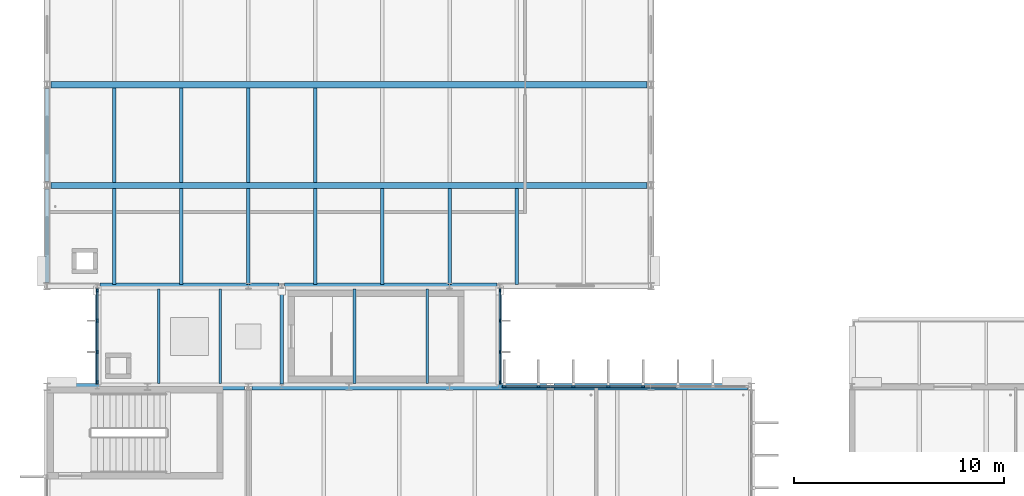
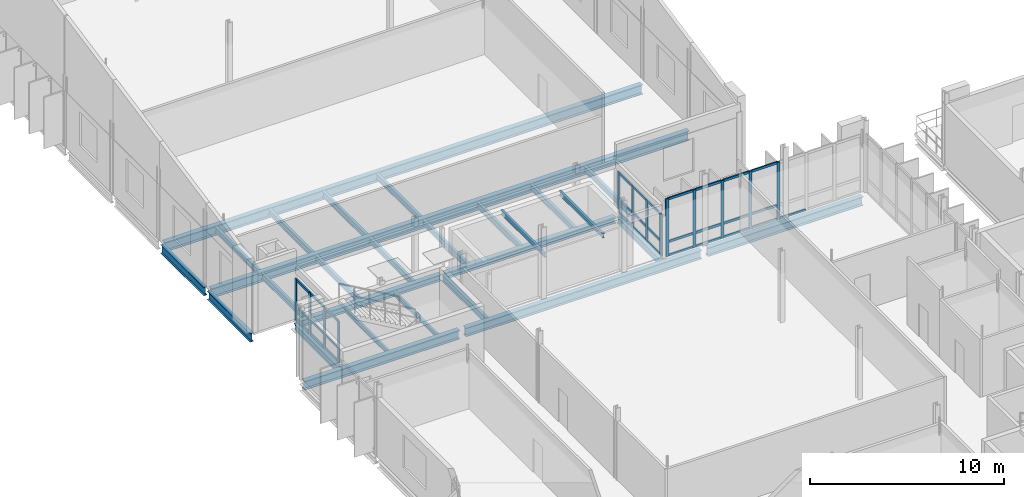
# One storey, part 23 of 93: 44 members, 27 beams, 3 elements without a shape of their own.
"""IFC4 building model written with IfcOpenShell, lengths in metres."""

from ifc_helpers import new_model, si_unit, direction, frame, origin, origin_2d, place, context, subcontext, project, spatial, rectangle, i_section, extrude, material, material_profile, profile_set, type_object, element, aggregate, save


model = new_model("IFC4")

# Units and contexts
model_context = context("Model", 3, precision=1e-05, world=origin(), true_north=direction((0.0, 1.0)))
body_context = subcontext(model_context, "Body", "Model", "MODEL_VIEW")
ifc_project = project(units=[si_unit("LENGTHUNIT", "METRE"), si_unit("AREAUNIT", "SQUARE_METRE"), si_unit("VOLUMEUNIT", "CUBIC_METRE"), si_unit("PLANEANGLEUNIT", "RADIAN"), si_unit("MASSUNIT", "GRAM", prefix="KILO")], contexts=[model_context])

# Site, building, storey
site_placement = place(None, origin())
site = spatial("IfcSite", under=ifc_project, at=site_placement, CompositionType="ELEMENT")
building_placement = place(site_placement, origin())
building = spatial("IfcBuilding", under=site, at=building_placement, Name="Dunescarp Central Library", CompositionType="ELEMENT")
storey_placement = place(building_placement, frame((0.0, 0.0, 14.10009765625)))
storey = spatial("IfcBuildingStorey", under=building, at=storey_placement, Name="L03", CompositionType="ELEMENT", Elevation=14.10009765625)

# Curtain wall, members
ifc_material_1 = material(Name="Marine-grade anodised aluminium 6063-T6", Category="aluminium")
curtain_wall_type_1 = type_object("IfcCurtainWallType", Name="ARC-CW-STICK", PredefinedType="NOTDEFINED", material=ifc_material_1)
curtain_wall_1_placement = place(storey_placement, origin())
curtain_wall_1 = element("IfcCurtainWall", 1, at=curtain_wall_1_placement, inside=storey, type_object=curtain_wall_type_1, Name="L03 curtain wall CW-V1-020", PredefinedType="NOTDEFINED")
ifc_material_profile_1 = material_profile(ifc_material_1, rectangle(XDim=0.080078125, YDim=0.179931640625, at=origin_2d()), Name="AL 80x180")
ifc_profile_set_1 = profile_set([ifc_material_profile_1], Name="Marine-grade anodised aluminium 6063-T6")
member_type_1 = type_object("IfcMemberType", Name="ARC-CWM-180", PredefinedType="MULLION", material=ifc_profile_set_1)
member_1_placement = place(storey_placement, frame((21.81494140625, 36.800048828125, 0.0), z_axis=(0.0, 0.0, 1.0), x_axis=(0.0, 1.0, 0.0)))
member_1 = element("IfcMember", 2, at=member_1_placement, type_object=member_type_1, Name="CW-V1-020 mullion 1", PredefinedType="MULLION", context=body_context, shape_type="SweptSolid", body=[
    extrude(rectangle(XDim=0.080078125, YDim=0.179931640625, at=origin_2d()), origin(), (0.0, 0.0, 1.0), 3.625),
])
member_2_placement = place(storey_placement, frame((23.439208984375, 36.800048828125, 0.0), z_axis=(0.0, 0.0, 1.0), x_axis=(0.0, 1.0, 0.0)))
member_2 = element("IfcMember", 3, at=member_2_placement, type_object=member_type_1, Name="CW-V1-020 mullion 2", PredefinedType="MULLION", context=body_context, shape_type="SweptSolid", body=[
    extrude(rectangle(XDim=0.080078125, YDim=0.179931640625, at=origin_2d()), origin(), (0.0, 0.0, 1.0), 3.625),
])
member_3_placement = place(storey_placement, frame((25.103515625, 36.800048828125, 0.0), z_axis=(0.0, 0.0, 1.0), x_axis=(0.0, 1.0, 0.0)))
member_3 = element("IfcMember", 4, at=member_3_placement, type_object=member_type_1, Name="CW-V1-020 mullion 3", PredefinedType="MULLION", context=body_context, shape_type="SweptSolid", body=[
    extrude(rectangle(XDim=0.080078125, YDim=0.179931640625, at=origin_2d()), origin(), (0.0, 0.0, 1.0), 3.625),
])
member_4_placement = place(storey_placement, frame((26.767822265625, 36.800048828125, 0.0), z_axis=(0.0, 0.0, 1.0), x_axis=(0.0, 1.0, 0.0)))
member_4 = element("IfcMember", 5, at=member_4_placement, type_object=member_type_1, Name="CW-V1-020 mullion 4", PredefinedType="MULLION", context=body_context, shape_type="SweptSolid", body=[
    extrude(rectangle(XDim=0.080078125, YDim=0.179931640625, at=origin_2d()), origin(), (0.0, 0.0, 1.0), 3.625),
])
member_5_placement = place(storey_placement, frame((28.43212890625, 36.800048828125, 0.0), z_axis=(0.0, 0.0, 1.0), x_axis=(0.0, 1.0, 0.0)))
member_5 = element("IfcMember", 6, at=member_5_placement, type_object=member_type_1, Name="CW-V1-020 mullion 5", PredefinedType="MULLION", context=body_context, shape_type="SweptSolid", body=[
    extrude(rectangle(XDim=0.080078125, YDim=0.179931640625, at=origin_2d()), origin(), (0.0, 0.0, 1.0), 3.625),
])

curtain_wall_type_2 = type_object("IfcCurtainWallType", Name="ARC-CW-LINK", PredefinedType="USERDEFINED", material=ifc_material_1)
curtain_wall_2_placement = place(storey_placement, origin())
curtain_wall_2 = element("IfcCurtainWall", 7, at=curtain_wall_2_placement, inside=storey, type_object=curtain_wall_type_2, Name="L03 curtain wall CW-GL4-W-L03", ObjectType="GLAZED_LINK_WALL", PredefinedType="USERDEFINED")
member_6_placement = place(storey_placement, frame((2.39990234375, 37.014892578125, 0.0), z_axis=(0.0, 0.0, 1.0), x_axis=(-1.0, 0.0, 0.0)))
member_6 = element("IfcMember", 8, at=member_6_placement, type_object=member_type_1, Name="CW-GL4-W-L03 mullion 1", PredefinedType="MULLION", context=body_context, shape_type="SweptSolid", body=[
    extrude(rectangle(XDim=0.080078125, YDim=0.179931640625, at=origin_2d()), origin(), (0.0, 0.0, 1.0), 2.599853515625),
])
member_7_placement = place(storey_placement, frame((2.39990234375, 38.458251953125, 0.0), z_axis=(0.0, 0.0, 1.0), x_axis=(-1.0, 0.0, 0.0)))
member_7 = element("IfcMember", 9, at=member_7_placement, type_object=member_type_1, Name="CW-GL4-W-L03 mullion 2", PredefinedType="MULLION", context=body_context, shape_type="SweptSolid", body=[
    extrude(rectangle(XDim=0.080078125, YDim=0.179931640625, at=origin_2d()), origin(), (0.0, 0.0, 1.0), 2.599853515625),
])
member_8_placement = place(storey_placement, frame((2.39990234375, 39.941650390625, 0.0), z_axis=(0.0, 0.0, 1.0), x_axis=(-1.0, 0.0, 0.0)))
member_8 = element("IfcMember", 10, at=member_8_placement, type_object=member_type_1, Name="CW-GL4-W-L03 mullion 3", PredefinedType="MULLION", context=body_context, shape_type="SweptSolid", body=[
    extrude(rectangle(XDim=0.080078125, YDim=0.179931640625, at=origin_2d()), origin(), (0.0, 0.0, 1.0), 2.599853515625),
])
member_9_placement = place(storey_placement, frame((2.39990234375, 41.385009765625, 0.0), z_axis=(0.0, 0.0, 1.0), x_axis=(-1.0, 0.0, 0.0)))
member_9 = element("IfcMember", 11, at=member_9_placement, type_object=member_type_1, Name="CW-GL4-W-L03 mullion 4", PredefinedType="MULLION", context=body_context, shape_type="SweptSolid", body=[
    extrude(rectangle(XDim=0.080078125, YDim=0.179931640625, at=origin_2d()), origin(), (0.0, 0.0, 1.0), 2.599853515625),
])

curtain_wall_3_placement = place(storey_placement, origin())
curtain_wall_3 = element("IfcCurtainWall", 12, at=curtain_wall_3_placement, inside=storey, type_object=curtain_wall_type_2, Name="L03 curtain wall CW-GL4-E-L03", ObjectType="GLAZED_LINK_WALL", PredefinedType="USERDEFINED")
member_10_placement = place(storey_placement, frame((21.60009765625, 41.385009765625, 0.0), z_axis=(0.0, 0.0, 1.0), x_axis=(1.0, 0.0, 0.0)))
member_10 = element("IfcMember", 13, at=member_10_placement, type_object=member_type_1, Name="CW-GL4-E-L03 mullion 1", PredefinedType="MULLION", context=body_context, shape_type="SweptSolid", body=[
    extrude(rectangle(XDim=0.080078125, YDim=0.179931640625, at=origin_2d()), origin(), (0.0, 0.0, 1.0), 2.599853515625),
])
member_11_placement = place(storey_placement, frame((21.60009765625, 39.941650390625, 0.0), z_axis=(0.0, 0.0, 1.0), x_axis=(1.0, 0.0, 0.0)))
member_11 = element("IfcMember", 14, at=member_11_placement, type_object=member_type_1, Name="CW-GL4-E-L03 mullion 2", PredefinedType="MULLION", context=body_context, shape_type="SweptSolid", body=[
    extrude(rectangle(XDim=0.080078125, YDim=0.179931640625, at=origin_2d()), origin(), (0.0, 0.0, 1.0), 2.599853515625),
])
member_12_placement = place(storey_placement, frame((21.60009765625, 38.458251953125, 0.0), z_axis=(0.0, 0.0, 1.0), x_axis=(1.0, 0.0, 0.0)))
member_12 = element("IfcMember", 15, at=member_12_placement, type_object=member_type_1, Name="CW-GL4-E-L03 mullion 3", PredefinedType="MULLION", context=body_context, shape_type="SweptSolid", body=[
    extrude(rectangle(XDim=0.080078125, YDim=0.179931640625, at=origin_2d()), origin(), (0.0, 0.0, 1.0), 2.599853515625),
])
member_13_placement = place(storey_placement, frame((21.60009765625, 37.014892578125, 0.0), z_axis=(0.0, 0.0, 1.0), x_axis=(1.0, 0.0, 0.0)))
member_13 = element("IfcMember", 16, at=member_13_placement, type_object=member_type_1, Name="CW-GL4-E-L03 mullion 4", PredefinedType="MULLION", context=body_context, shape_type="SweptSolid", body=[
    extrude(rectangle(XDim=0.080078125, YDim=0.179931640625, at=origin_2d()), origin(), (0.0, 0.0, 1.0), 2.599853515625),
])

# Member
ifc_material_profile_2 = material_profile(ifc_material_1, rectangle(XDim=0.080078125, YDim=0.14990234375, at=origin_2d()), Name="AL 80x150")
ifc_profile_set_2 = profile_set([ifc_material_profile_2], Name="Marine-grade anodised aluminium 6063-T6")
member_type_2 = type_object("IfcMemberType", Name="ARC-CWT-150", PredefinedType="USERDEFINED", material=ifc_profile_set_2)
member_14_placement = place(storey_placement, frame((21.85498046875, 36.800048828125, 0.039794921875), z_axis=(1.0, 0.0, 0.0), x_axis=(0.0, 1.0, 0.0)))
member_14 = element("IfcMember", 17, at=member_14_placement, type_object=member_type_2, Name="CW-V1-020 transom 1.1", ObjectType="TRANSOM", PredefinedType="USERDEFINED", context=body_context, shape_type="SweptSolid", body=[
    extrude(rectangle(XDim=0.080078125, YDim=0.14990234375, at=origin_2d()), origin(), (0.0, 0.0, 1.0), 1.544189453125),
])

member_15_placement = place(storey_placement, frame((21.85498046875, 36.800048828125, 0.89990234375), z_axis=(1.0, 0.0, 0.0), x_axis=(0.0, 1.0, 0.0)))
member_15 = element("IfcMember", 18, at=member_15_placement, type_object=member_type_2, Name="CW-V1-020 transom 1.2", ObjectType="TRANSOM", PredefinedType="USERDEFINED", context=body_context, shape_type="SweptSolid", body=[
    extrude(rectangle(XDim=0.080078125, YDim=0.14990234375, at=origin_2d()), origin(), (0.0, 0.0, 1.0), 1.544189453125),
])

member_16_placement = place(storey_placement, frame((21.85498046875, 36.800048828125, 3.5849609375), z_axis=(1.0, 0.0, 0.0), x_axis=(0.0, 1.0, 0.0)))
member_16 = element("IfcMember", 19, at=member_16_placement, type_object=member_type_2, Name="CW-V1-020 transom 1.3", ObjectType="TRANSOM", PredefinedType="USERDEFINED", context=body_context, shape_type="SweptSolid", body=[
    extrude(rectangle(XDim=0.080078125, YDim=0.14990234375, at=origin_2d()), origin(), (0.0, 0.0, 1.0), 1.544189453125),
])

member_17_placement = place(storey_placement, frame((23.479248046875, 36.800048828125, 0.039794921875), z_axis=(1.0, 0.0, 0.0), x_axis=(0.0, 1.0, 0.0)))
member_17 = element("IfcMember", 20, at=member_17_placement, type_object=member_type_2, Name="CW-V1-020 transom 2.1", ObjectType="TRANSOM", PredefinedType="USERDEFINED", context=body_context, shape_type="SweptSolid", body=[
    extrude(rectangle(XDim=0.080078125, YDim=0.14990234375, at=origin_2d()), origin(), (0.0, 0.0, 1.0), 1.584228515625),
])

member_18_placement = place(storey_placement, frame((23.479248046875, 36.800048828125, 0.89990234375), z_axis=(1.0, 0.0, 0.0), x_axis=(0.0, 1.0, 0.0)))
member_18 = element("IfcMember", 21, at=member_18_placement, type_object=member_type_2, Name="CW-V1-020 transom 2.2", ObjectType="TRANSOM", PredefinedType="USERDEFINED", context=body_context, shape_type="SweptSolid", body=[
    extrude(rectangle(XDim=0.080078125, YDim=0.14990234375, at=origin_2d()), origin(), (0.0, 0.0, 1.0), 1.584228515625),
])

member_19_placement = place(storey_placement, frame((23.479248046875, 36.800048828125, 3.5849609375), z_axis=(1.0, 0.0, 0.0), x_axis=(0.0, 1.0, 0.0)))
member_19 = element("IfcMember", 22, at=member_19_placement, type_object=member_type_2, Name="CW-V1-020 transom 2.3", ObjectType="TRANSOM", PredefinedType="USERDEFINED", context=body_context, shape_type="SweptSolid", body=[
    extrude(rectangle(XDim=0.080078125, YDim=0.14990234375, at=origin_2d()), origin(), (0.0, 0.0, 1.0), 1.584228515625),
])

member_20_placement = place(storey_placement, frame((25.1435546875, 36.800048828125, 0.039794921875), z_axis=(1.0, 0.0, 0.0), x_axis=(0.0, 1.0, 0.0)))
member_20 = element("IfcMember", 23, at=member_20_placement, type_object=member_type_2, Name="CW-V1-020 transom 3.1", ObjectType="TRANSOM", PredefinedType="USERDEFINED", context=body_context, shape_type="SweptSolid", body=[
    extrude(rectangle(XDim=0.080078125, YDim=0.14990234375, at=origin_2d()), origin(), (0.0, 0.0, 1.0), 1.584228515625),
])

member_21_placement = place(storey_placement, frame((25.1435546875, 36.800048828125, 0.89990234375), z_axis=(1.0, 0.0, 0.0), x_axis=(0.0, 1.0, 0.0)))
member_21 = element("IfcMember", 24, at=member_21_placement, type_object=member_type_2, Name="CW-V1-020 transom 3.2", ObjectType="TRANSOM", PredefinedType="USERDEFINED", context=body_context, shape_type="SweptSolid", body=[
    extrude(rectangle(XDim=0.080078125, YDim=0.14990234375, at=origin_2d()), origin(), (0.0, 0.0, 1.0), 1.584228515625),
])

member_22_placement = place(storey_placement, frame((25.1435546875, 36.800048828125, 3.5849609375), z_axis=(1.0, 0.0, 0.0), x_axis=(0.0, 1.0, 0.0)))
member_22 = element("IfcMember", 25, at=member_22_placement, type_object=member_type_2, Name="CW-V1-020 transom 3.3", ObjectType="TRANSOM", PredefinedType="USERDEFINED", context=body_context, shape_type="SweptSolid", body=[
    extrude(rectangle(XDim=0.080078125, YDim=0.14990234375, at=origin_2d()), origin(), (0.0, 0.0, 1.0), 1.584228515625),
])

member_23_placement = place(storey_placement, frame((26.807861328125, 36.800048828125, 0.039794921875), z_axis=(1.0, 0.0, 0.0), x_axis=(0.0, 1.0, 0.0)))
member_23 = element("IfcMember", 26, at=member_23_placement, type_object=member_type_2, Name="CW-V1-020 transom 4.1", ObjectType="TRANSOM", PredefinedType="USERDEFINED", context=body_context, shape_type="SweptSolid", body=[
    extrude(rectangle(XDim=0.080078125, YDim=0.14990234375, at=origin_2d()), origin(), (0.0, 0.0, 1.0), 1.584228515625),
])

member_24_placement = place(storey_placement, frame((26.807861328125, 36.800048828125, 0.89990234375), z_axis=(1.0, 0.0, 0.0), x_axis=(0.0, 1.0, 0.0)))
member_24 = element("IfcMember", 27, at=member_24_placement, type_object=member_type_2, Name="CW-V1-020 transom 4.2", ObjectType="TRANSOM", PredefinedType="USERDEFINED", context=body_context, shape_type="SweptSolid", body=[
    extrude(rectangle(XDim=0.080078125, YDim=0.14990234375, at=origin_2d()), origin(), (0.0, 0.0, 1.0), 1.584228515625),
])

member_25_placement = place(storey_placement, frame((26.807861328125, 36.800048828125, 3.5849609375), z_axis=(1.0, 0.0, 0.0), x_axis=(0.0, 1.0, 0.0)))
member_25 = element("IfcMember", 28, at=member_25_placement, type_object=member_type_2, Name="CW-V1-020 transom 4.3", ObjectType="TRANSOM", PredefinedType="USERDEFINED", context=body_context, shape_type="SweptSolid", body=[
    extrude(rectangle(XDim=0.080078125, YDim=0.14990234375, at=origin_2d()), origin(), (0.0, 0.0, 1.0), 1.584228515625),
])

member_26_placement = place(storey_placement, frame((28.47216796875, 36.800048828125, 0.039794921875), z_axis=(1.0, 0.0, 0.0), x_axis=(0.0, 1.0, 0.0)))
member_26 = element("IfcMember", 29, at=member_26_placement, type_object=member_type_2, Name="CW-V1-020 transom 5.1", ObjectType="TRANSOM", PredefinedType="USERDEFINED", context=body_context, shape_type="SweptSolid", body=[
    extrude(rectangle(XDim=0.080078125, YDim=0.14990234375, at=origin_2d()), origin(), (0.0, 0.0, 1.0), 1.584228515625),
])

aggregate(curtain_wall_1, [member_1, member_2, member_3, member_4, member_5, member_14, member_15, member_16, member_17, member_18, member_19, member_20, member_21, member_22, member_23, member_24, member_25, member_26])

member_27_placement = place(storey_placement, frame((2.39990234375, 37.054931640625, 0.039794921875), z_axis=(0.0, 1.0, 0.0), x_axis=(-1.0, 0.0, 0.0)))
member_27 = element("IfcMember", 30, at=member_27_placement, type_object=member_type_2, Name="CW-GL4-W-L03 transom 1.1", ObjectType="TRANSOM", PredefinedType="USERDEFINED", context=body_context, shape_type="SweptSolid", body=[
    extrude(rectangle(XDim=0.080078125, YDim=0.14990234375, at=origin_2d()), origin(), (0.0, 0.0, 1.0), 1.36328125),
])

member_28_placement = place(storey_placement, frame((2.39990234375, 37.054931640625, 0.89990234375), z_axis=(0.0, 1.0, 0.0), x_axis=(-1.0, 0.0, 0.0)))
member_28 = element("IfcMember", 31, at=member_28_placement, type_object=member_type_2, Name="CW-GL4-W-L03 transom 1.2", ObjectType="TRANSOM", PredefinedType="USERDEFINED", context=body_context, shape_type="SweptSolid", body=[
    extrude(rectangle(XDim=0.080078125, YDim=0.14990234375, at=origin_2d()), origin(), (0.0, 0.0, 1.0), 1.36328125),
])

member_29_placement = place(storey_placement, frame((2.39990234375, 37.054931640625, 2.559814453125), z_axis=(0.0, 1.0, 0.0), x_axis=(-1.0, 0.0, 0.0)))
member_29 = element("IfcMember", 32, at=member_29_placement, type_object=member_type_2, Name="CW-GL4-W-L03 transom 1.3", ObjectType="TRANSOM", PredefinedType="USERDEFINED", context=body_context, shape_type="SweptSolid", body=[
    extrude(rectangle(XDim=0.080078125, YDim=0.14990234375, at=origin_2d()), origin(), (0.0, 0.0, 1.0), 1.36328125),
])

member_30_placement = place(storey_placement, frame((2.39990234375, 38.498291015625, 0.039794921875), z_axis=(0.0, 1.0, 0.0), x_axis=(-1.0, 0.0, 0.0)))
member_30 = element("IfcMember", 33, at=member_30_placement, type_object=member_type_2, Name="CW-GL4-W-L03 transom 2.1", ObjectType="TRANSOM", PredefinedType="USERDEFINED", context=body_context, shape_type="SweptSolid", body=[
    extrude(rectangle(XDim=0.080078125, YDim=0.14990234375, at=origin_2d()), origin(), (0.0, 0.0, 1.0), 1.4033203125),
])

member_31_placement = place(storey_placement, frame((2.39990234375, 38.498291015625, 0.89990234375), z_axis=(0.0, 1.0, 0.0), x_axis=(-1.0, 0.0, 0.0)))
member_31 = element("IfcMember", 34, at=member_31_placement, type_object=member_type_2, Name="CW-GL4-W-L03 transom 2.2", ObjectType="TRANSOM", PredefinedType="USERDEFINED", context=body_context, shape_type="SweptSolid", body=[
    extrude(rectangle(XDim=0.080078125, YDim=0.14990234375, at=origin_2d()), origin(), (0.0, 0.0, 1.0), 1.4033203125),
])

member_32_placement = place(storey_placement, frame((2.39990234375, 38.498291015625, 2.559814453125), z_axis=(0.0, 1.0, 0.0), x_axis=(-1.0, 0.0, 0.0)))
member_32 = element("IfcMember", 35, at=member_32_placement, type_object=member_type_2, Name="CW-GL4-W-L03 transom 2.3", ObjectType="TRANSOM", PredefinedType="USERDEFINED", context=body_context, shape_type="SweptSolid", body=[
    extrude(rectangle(XDim=0.080078125, YDim=0.14990234375, at=origin_2d()), origin(), (0.0, 0.0, 1.0), 1.4033203125),
])

member_33_placement = place(storey_placement, frame((2.39990234375, 39.981689453125, 0.039794921875), z_axis=(0.0, 1.0, 0.0), x_axis=(-1.0, 0.0, 0.0)))
member_33 = element("IfcMember", 36, at=member_33_placement, type_object=member_type_2, Name="CW-GL4-W-L03 transom 3.1", ObjectType="TRANSOM", PredefinedType="USERDEFINED", context=body_context, shape_type="SweptSolid", body=[
    extrude(rectangle(XDim=0.080078125, YDim=0.14990234375, at=origin_2d()), origin(), (0.0, 0.0, 1.0), 1.36328125),
])

member_34_placement = place(storey_placement, frame((2.39990234375, 39.981689453125, 0.89990234375), z_axis=(0.0, 1.0, 0.0), x_axis=(-1.0, 0.0, 0.0)))
member_34 = element("IfcMember", 37, at=member_34_placement, type_object=member_type_2, Name="CW-GL4-W-L03 transom 3.2", ObjectType="TRANSOM", PredefinedType="USERDEFINED", context=body_context, shape_type="SweptSolid", body=[
    extrude(rectangle(XDim=0.080078125, YDim=0.14990234375, at=origin_2d()), origin(), (0.0, 0.0, 1.0), 1.36328125),
])

member_35_placement = place(storey_placement, frame((2.39990234375, 39.981689453125, 2.559814453125), z_axis=(0.0, 1.0, 0.0), x_axis=(-1.0, 0.0, 0.0)))
member_35 = element("IfcMember", 38, at=member_35_placement, type_object=member_type_2, Name="CW-GL4-W-L03 transom 3.3", ObjectType="TRANSOM", PredefinedType="USERDEFINED", context=body_context, shape_type="SweptSolid", body=[
    extrude(rectangle(XDim=0.080078125, YDim=0.14990234375, at=origin_2d()), origin(), (0.0, 0.0, 1.0), 1.36328125),
])

aggregate(curtain_wall_2, [member_6, member_7, member_8, member_9, member_27, member_28, member_29, member_30, member_31, member_32, member_33, member_34, member_35])

member_36_placement = place(storey_placement, frame((21.60009765625, 41.344970703125, 0.039794921875), z_axis=(0.0, -1.0, 0.0), x_axis=(1.0, 0.0, 0.0)))
member_36 = element("IfcMember", 39, at=member_36_placement, type_object=member_type_2, Name="CW-GL4-E-L03 transom 1.1", ObjectType="TRANSOM", PredefinedType="USERDEFINED", context=body_context, shape_type="SweptSolid", body=[
    extrude(rectangle(XDim=0.080078125, YDim=0.14990234375, at=origin_2d()), origin(), (0.0, 0.0, 1.0), 1.36328125),
])

member_37_placement = place(storey_placement, frame((21.60009765625, 41.344970703125, 0.89990234375), z_axis=(0.0, -1.0, 0.0), x_axis=(1.0, 0.0, 0.0)))
member_37 = element("IfcMember", 40, at=member_37_placement, type_object=member_type_2, Name="CW-GL4-E-L03 transom 1.2", ObjectType="TRANSOM", PredefinedType="USERDEFINED", context=body_context, shape_type="SweptSolid", body=[
    extrude(rectangle(XDim=0.080078125, YDim=0.14990234375, at=origin_2d()), origin(), (0.0, 0.0, 1.0), 1.36328125),
])

member_38_placement = place(storey_placement, frame((21.60009765625, 41.344970703125, 2.559814453125), z_axis=(0.0, -1.0, 0.0), x_axis=(1.0, 0.0, 0.0)))
member_38 = element("IfcMember", 41, at=member_38_placement, type_object=member_type_2, Name="CW-GL4-E-L03 transom 1.3", ObjectType="TRANSOM", PredefinedType="USERDEFINED", context=body_context, shape_type="SweptSolid", body=[
    extrude(rectangle(XDim=0.080078125, YDim=0.14990234375, at=origin_2d()), origin(), (0.0, 0.0, 1.0), 1.36328125),
])

member_39_placement = place(storey_placement, frame((21.60009765625, 39.901611328125, 0.039794921875), z_axis=(0.0, -1.0, 0.0), x_axis=(1.0, 0.0, 0.0)))
member_39 = element("IfcMember", 42, at=member_39_placement, type_object=member_type_2, Name="CW-GL4-E-L03 transom 2.1", ObjectType="TRANSOM", PredefinedType="USERDEFINED", context=body_context, shape_type="SweptSolid", body=[
    extrude(rectangle(XDim=0.080078125, YDim=0.14990234375, at=origin_2d()), origin(), (0.0, 0.0, 1.0), 1.4033203125),
])

member_40_placement = place(storey_placement, frame((21.60009765625, 39.901611328125, 0.89990234375), z_axis=(0.0, -1.0, 0.0), x_axis=(1.0, 0.0, 0.0)))
member_40 = element("IfcMember", 43, at=member_40_placement, type_object=member_type_2, Name="CW-GL4-E-L03 transom 2.2", ObjectType="TRANSOM", PredefinedType="USERDEFINED", context=body_context, shape_type="SweptSolid", body=[
    extrude(rectangle(XDim=0.080078125, YDim=0.14990234375, at=origin_2d()), origin(), (0.0, 0.0, 1.0), 1.4033203125),
])

member_41_placement = place(storey_placement, frame((21.60009765625, 39.901611328125, 2.559814453125), z_axis=(0.0, -1.0, 0.0), x_axis=(1.0, 0.0, 0.0)))
member_41 = element("IfcMember", 44, at=member_41_placement, type_object=member_type_2, Name="CW-GL4-E-L03 transom 2.3", ObjectType="TRANSOM", PredefinedType="USERDEFINED", context=body_context, shape_type="SweptSolid", body=[
    extrude(rectangle(XDim=0.080078125, YDim=0.14990234375, at=origin_2d()), origin(), (0.0, 0.0, 1.0), 1.4033203125),
])

member_42_placement = place(storey_placement, frame((21.60009765625, 38.418212890625, 0.039794921875), z_axis=(0.0, -1.0, 0.0), x_axis=(1.0, 0.0, 0.0)))
member_42 = element("IfcMember", 45, at=member_42_placement, type_object=member_type_2, Name="CW-GL4-E-L03 transom 3.1", ObjectType="TRANSOM", PredefinedType="USERDEFINED", context=body_context, shape_type="SweptSolid", body=[
    extrude(rectangle(XDim=0.080078125, YDim=0.14990234375, at=origin_2d()), origin(), (0.0, 0.0, 1.0), 1.36328125),
])

member_43_placement = place(storey_placement, frame((21.60009765625, 38.418212890625, 0.89990234375), z_axis=(0.0, -1.0, 0.0), x_axis=(1.0, 0.0, 0.0)))
member_43 = element("IfcMember", 46, at=member_43_placement, type_object=member_type_2, Name="CW-GL4-E-L03 transom 3.2", ObjectType="TRANSOM", PredefinedType="USERDEFINED", context=body_context, shape_type="SweptSolid", body=[
    extrude(rectangle(XDim=0.080078125, YDim=0.14990234375, at=origin_2d()), origin(), (0.0, 0.0, 1.0), 1.36328125),
])

member_44_placement = place(storey_placement, frame((21.60009765625, 38.418212890625, 2.559814453125), z_axis=(0.0, -1.0, 0.0), x_axis=(1.0, 0.0, 0.0)))
member_44 = element("IfcMember", 47, at=member_44_placement, type_object=member_type_2, Name="CW-GL4-E-L03 transom 3.3", ObjectType="TRANSOM", PredefinedType="USERDEFINED", context=body_context, shape_type="SweptSolid", body=[
    extrude(rectangle(XDim=0.080078125, YDim=0.14990234375, at=origin_2d()), origin(), (0.0, 0.0, 1.0), 1.36328125),
])

aggregate(curtain_wall_3, [member_10, member_11, member_12, member_13, member_36, member_37, member_38, member_39, member_40, member_41, member_42, member_43, member_44])

# Beams
ifc_material_2 = material(Name="Steel S355JR", Category="steel")
ifc_material_profile_3 = material_profile(ifc_material_2, i_section(OverallWidth=0.300048828125, OverallDepth=0.389892578125, WebThickness=0.010986328125, FlangeThickness=0.01904296875, at=origin_2d()), Name="HEA 400")
ifc_profile_set_3 = profile_set([ifc_material_profile_3], Name="Steel S355JR")
beam_type_1 = type_object("IfcBeamType", Name="STR-BM-HEA400", PredefinedType="BEAM", material=ifc_profile_set_3)
beam_1_placement = place(storey_placement, frame((2.52490234375, 41.60009765625, -0.43505859375), z_axis=(1.0, 0.0, 0.0), x_axis=(0.0, 1.0, 0.0)))
element("IfcBeam", 48, at=beam_1_placement, inside=storey, type_object=beam_type_1, Name="L03 girder BM-L03-1279", PredefinedType="BEAM", context=body_context, shape_type="SweptSolid", body=[
    extrude(i_section(OverallWidth=0.300048828125, OverallDepth=0.389892578125, WebThickness=0.010986328125, FlangeThickness=0.01904296875, at=origin_2d()), origin(), (0.0, 0.0, 1.0), 8.550048828125),
])
beam_2_placement = place(storey_placement, frame((11.324951171875, 41.60009765625, -0.43505859375), z_axis=(1.0, 0.0, 0.0), x_axis=(0.0, 1.0, 0.0)))
element("IfcBeam", 49, at=beam_2_placement, inside=storey, type_object=beam_type_1, Name="L03 girder BM-L03-1284", PredefinedType="BEAM", context=body_context, shape_type="SweptSolid", body=[
    extrude(i_section(OverallWidth=0.300048828125, OverallDepth=0.389892578125, WebThickness=0.010986328125, FlangeThickness=0.01904296875, at=origin_2d()), origin(), (0.0, 0.0, 1.0), 10.150146484375),
])
ifc_material_profile_4 = material_profile(ifc_material_2, i_section(OverallWidth=0.300048828125, OverallDepth=0.550048828125, WebThickness=0.014892578125, FlangeThickness=0.029052734375, at=origin_2d()), Name="HEB 550")
ifc_profile_set_4 = profile_set([ifc_material_profile_4], Name="Steel S355JR")
beam_type_2 = type_object("IfcBeamType", Name="STR-BM-HEB550", PredefinedType="BEAM", material=ifc_profile_set_4)
beam_3_placement = place(storey_placement, frame((0.181884765625, 36.800048828125, -0.51513671875), z_axis=(1.0, 0.0, 0.0), x_axis=(0.0, 1.0, 0.0)))
element("IfcBeam", 50, at=beam_3_placement, inside=storey, type_object=beam_type_2, Name="L03 girder BM-L03-0127", PredefinedType="BEAM", context=body_context, shape_type="SweptSolid", body=[
    extrude(i_section(OverallWidth=0.300048828125, OverallDepth=0.550048828125, WebThickness=0.014892578125, FlangeThickness=0.029052734375, at=origin_2d()), origin(), (0.0, 0.0, 1.0), 9.236083984375),
])
beam_4_placement = place(storey_placement, frame((9.781982421875, 36.800048828125, -0.51513671875), z_axis=(1.0, 0.0, 0.0), x_axis=(0.0, 1.0, 0.0)))
element("IfcBeam", 51, at=beam_4_placement, inside=storey, type_object=beam_type_2, Name="L03 girder BM-L03-0146", PredefinedType="BEAM", context=body_context, shape_type="SweptSolid", body=[
    extrude(i_section(OverallWidth=0.300048828125, OverallDepth=0.550048828125, WebThickness=0.014892578125, FlangeThickness=0.029052734375, at=origin_2d()), origin(), (0.0, 0.0, 1.0), 14.0361328125),
])
beam_5_placement = place(storey_placement, frame((24.181884765625, 36.800048828125, -0.51513671875), z_axis=(1.0, 0.0, 0.0), x_axis=(0.0, 1.0, 0.0)))
element("IfcBeam", 52, at=beam_5_placement, inside=storey, type_object=beam_type_2, Name="L03 girder BM-L03-0162", PredefinedType="BEAM", context=body_context, shape_type="SweptSolid", body=[
    extrude(i_section(OverallWidth=0.300048828125, OverallDepth=0.550048828125, WebThickness=0.014892578125, FlangeThickness=0.029052734375, at=origin_2d()), origin(), (0.0, 0.0, 1.0), 9.236083984375),
])
ifc_material_3 = material(Name="Steel S355J0", Category="steel")
ifc_material_profile_5 = material_profile(ifc_material_3, i_section(OverallWidth=0.300048828125, OverallDepth=0.60009765625, WebThickness=0.015380859375, FlangeThickness=0.030029296875, at=origin_2d()), Name="HEB 600")
ifc_profile_set_5 = profile_set([ifc_material_profile_5], Name="Steel S355J0")
beam_type_3 = type_object("IfcBeamType", Name="STR-BM-HEB600", PredefinedType="BEAM", material=ifc_profile_set_5)
for number, where, z_axis, x_axis, name in (
    (53, (0.181884765625, 46.39990234375, -0.5400390625), (1.0, 0.0, 0.0), (0.0, 1.0, 0.0), "Transfer truss TT-V4-1 top chord"),
    (54, (0.181884765625, 51.199951171875, -0.5400390625), (1.0, 0.0, 0.0), (0.0, 1.0, 0.0), "Transfer truss TT-V4-2 top chord"),
):
    element("IfcBeam", number, at=place(storey_placement, frame(where, z_axis=z_axis, x_axis=x_axis)), inside=storey, type_object=beam_type_3, Name=name, PredefinedType="BEAM", context=body_context, shape_type="SweptSolid", body=[
        extrude(i_section(OverallWidth=0.300048828125, OverallDepth=0.60009765625, WebThickness=0.015380859375, FlangeThickness=0.030029296875, at=origin_2d()), origin(), (0.0, 0.0, 1.0), 28.43603515625),
    ])
ifc_material_profile_6 = material_profile(ifc_material_2, i_section(OverallWidth=0.209228515625, OverallDepth=0.533203125, WebThickness=0.010009765625, FlangeThickness=0.015625, at=origin_2d()), Name="UB 533x210x92")
ifc_profile_set_6 = profile_set([ifc_material_profile_6], Name="Steel S355JR")
beam_type_4 = type_object("IfcBeamType", Name="STR-BM-UB533", PredefinedType="BEAM", material=ifc_profile_set_6)
beam_6_placement = place(storey_placement, frame((0.0, 41.778076171875, -0.506103515625), z_axis=(0.0, 1.0, 0.0), x_axis=(-1.0, 0.0, 0.0)))
element("IfcBeam", 55, at=beam_6_placement, inside=storey, type_object=beam_type_4, Name="L03 edge girder BM-L03-1390", PredefinedType="BEAM", context=body_context, shape_type="SweptSolid", body=[
    extrude(i_section(OverallWidth=0.209228515625, OverallDepth=0.533203125, WebThickness=0.010009765625, FlangeThickness=0.015625, at=origin_2d()), origin(), (0.0, 0.0, 1.0), 4.44384765625),
])
beam_7_placement = place(storey_placement, frame((0.0, 46.577880859375, -0.506103515625), z_axis=(0.0, 1.0, 0.0), x_axis=(-1.0, 0.0, 0.0)))
element("IfcBeam", 56, at=beam_7_placement, inside=storey, type_object=beam_type_4, Name="L03 edge girder BM-L03-1391", PredefinedType="BEAM", context=body_context, shape_type="SweptSolid", body=[
    extrude(i_section(OverallWidth=0.209228515625, OverallDepth=0.533203125, WebThickness=0.010009765625, FlangeThickness=0.015625, at=origin_2d()), origin(), (0.0, 0.0, 1.0), 4.444091796875),
])
ifc_material_profile_7 = material_profile(ifc_material_2, i_section(OverallWidth=0.135009765625, OverallDepth=0.27001953125, WebThickness=0.006591796875, FlangeThickness=0.01025390625, at=origin_2d()), Name="IPE 270")
ifc_profile_set_7 = profile_set([ifc_material_profile_7], Name="Steel S355JR")
beam_type_5 = type_object("IfcBeamType", Name="STR-JS-IPE270", PredefinedType="JOIST", material=ifc_profile_set_7)
for number, where, z_axis, x_axis, name in (
    (57, (5.3330078125, 36.947998046875, -0.375), (0.0, 1.0, 0.0), (-1.0, 0.0, 0.0), "L03 joist JS-L03-1282"),
    (58, (8.26708984375, 36.947998046875, -0.375), (0.0, 1.0, 0.0), (-1.0, 0.0, 0.0), "L03 joist JS-L03-1283"),
    (59, (14.6669921875, 36.947998046875, 2.474853515625), (0.0, 1.0, 0.0), (-1.0, 0.0, 0.0), "L03 joist JS-L03-20016"),
    (60, (18.133056640625, 36.947998046875, 2.474853515625), (0.0, 1.0, 0.0), (-1.0, 0.0, 0.0), "L03 joist JS-L03-20017"),
):
    element("IfcBeam", number, at=place(storey_placement, frame(where, z_axis=z_axis, x_axis=x_axis)), inside=storey, type_object=beam_type_5, Name=name, PredefinedType="JOIST", context=body_context, shape_type="SweptSolid", body=[
        extrude(i_section(OverallWidth=0.135009765625, OverallDepth=0.27001953125, WebThickness=0.006591796875, FlangeThickness=0.01025390625, at=origin_2d()), origin(), (0.0, 0.0, 1.0), 4.50390625),
    ])
ifc_material_profile_8 = material_profile(ifc_material_2, i_section(OverallWidth=0.169921875, OverallDepth=0.360107421875, WebThickness=0.008056640625, FlangeThickness=0.0126953125, at=origin_2d()), Name="IPE 360")
ifc_profile_set_8 = profile_set([ifc_material_profile_8], Name="Steel S355JR")
beam_type_6 = type_object("IfcBeamType", Name="STR-JS-IPE360", PredefinedType="JOIST", material=ifc_profile_set_8)
for number, where, z_axis, x_axis, name in (
    (61, (3.199951171875, 41.68505859375, -0.420166015625), (0.0, 1.0, 0.0), (-1.0, 0.0, 0.0), "L03 joist JS-L03-1398"),
    (62, (6.39990234375, 41.68505859375, -0.420166015625), (0.0, 1.0, 0.0), (-1.0, 0.0, 0.0), "L03 joist JS-L03-1399"),
    (63, (9.60009765625, 41.68505859375, -0.420166015625), (0.0, 1.0, 0.0), (-1.0, 0.0, 0.0), "L03 joist JS-L03-1400"),
    (64, (12.800048828125, 41.68505859375, -0.420166015625), (0.0, 1.0, 0.0), (-1.0, 0.0, 0.0), "L03 joist JS-L03-1401"),
    (65, (16.0, 41.68505859375, -0.420166015625), (0.0, 1.0, 0.0), (-1.0, 0.0, 0.0), "L03 joist JS-L03-1402"),
    (66, (19.199951171875, 41.68505859375, -0.420166015625), (0.0, 1.0, 0.0), (-1.0, 0.0, 0.0), "L03 joist JS-L03-1403"),
    (67, (22.39990234375, 41.68505859375, -0.420166015625), (0.0, 1.0, 0.0), (-1.0, 0.0, 0.0), "L03 joist JS-L03-1404"),
):
    element("IfcBeam", number, at=place(storey_placement, frame(where, z_axis=z_axis, x_axis=x_axis)), inside=storey, type_object=beam_type_6, Name=name, PredefinedType="JOIST", context=body_context, shape_type="SweptSolid", body=[
        extrude(i_section(OverallWidth=0.169921875, OverallDepth=0.360107421875, WebThickness=0.008056640625, FlangeThickness=0.0126953125, at=origin_2d()), origin(), (0.0, 0.0, 1.0), 4.56689453125),
    ])
for number, where, z_axis, x_axis, name in (
    (68, (3.199951171875, 46.548095703125, -0.420166015625), (0.0, 1.0, 0.0), (-1.0, 0.0, 0.0), "L03 joist JS-L03-1406"),
    (69, (6.39990234375, 46.548095703125, -0.420166015625), (0.0, 1.0, 0.0), (-1.0, 0.0, 0.0), "L03 joist JS-L03-1407"),
    (70, (9.60009765625, 46.548095703125, -0.420166015625), (0.0, 1.0, 0.0), (-1.0, 0.0, 0.0), "L03 joist JS-L03-1408"),
    (71, (12.800048828125, 46.548095703125, -0.420166015625), (0.0, 1.0, 0.0), (-1.0, 0.0, 0.0), "L03 joist JS-L03-1409"),
):
    element("IfcBeam", number, at=place(storey_placement, frame(where, z_axis=z_axis, x_axis=x_axis)), inside=storey, type_object=beam_type_6, Name=name, PredefinedType="JOIST", context=body_context, shape_type="SweptSolid", body=[
        extrude(i_section(OverallWidth=0.169921875, OverallDepth=0.360107421875, WebThickness=0.008056640625, FlangeThickness=0.0126953125, at=origin_2d()), origin(), (0.0, 0.0, 1.0), 4.50390625),
    ])
ifc_material_profile_9 = material_profile(ifc_material_2, i_section(OverallWidth=0.177978515625, OverallDepth=0.406494140625, WebThickness=0.0078125, FlangeThickness=0.0126953125, at=origin_2d()), Name="UB 406x178x60")
ifc_profile_set_9 = profile_set([ifc_material_profile_9], Name="Steel S355JR")
beam_type_7 = type_object("IfcBeamType", Name="STR-SP-UB406", PredefinedType="SPANDREL", material=ifc_profile_set_9)
for number, where, z_axis, x_axis, name in (
    (72, (2.39990234375, 36.927001953125, -0.443115234375), (0.0, 1.0, 0.0), (-1.0, 0.0, 0.0), "L03 girder BM-L03-1280"),
    (73, (11.199951171875, 36.927001953125, -0.443115234375), (0.0, 1.0, 0.0), (-1.0, 0.0, 0.0), "L03 girder BM-L03-1281"),
    (74, (21.60009765625, 36.927001953125, -0.443115234375), (0.0, 1.0, 0.0), (-1.0, 0.0, 0.0), "L03 girder BM-L03-1285"),
):
    element("IfcBeam", number, at=place(storey_placement, frame(where, z_axis=z_axis, x_axis=x_axis)), inside=storey, type_object=beam_type_7, Name=name, PredefinedType="SPANDREL", context=body_context, shape_type="SweptSolid", body=[
        extrude(i_section(OverallWidth=0.177978515625, OverallDepth=0.406494140625, WebThickness=0.0078125, FlangeThickness=0.0126953125, at=origin_2d()), origin(), (0.0, 0.0, 1.0), 4.5458984375),
    ])

save(model, "model.ifc")
